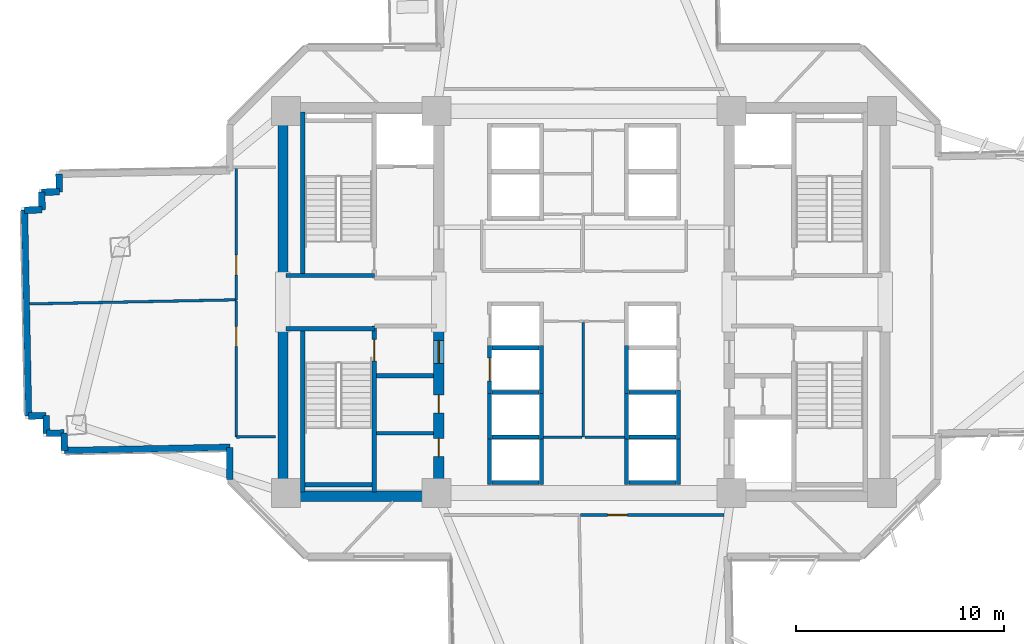
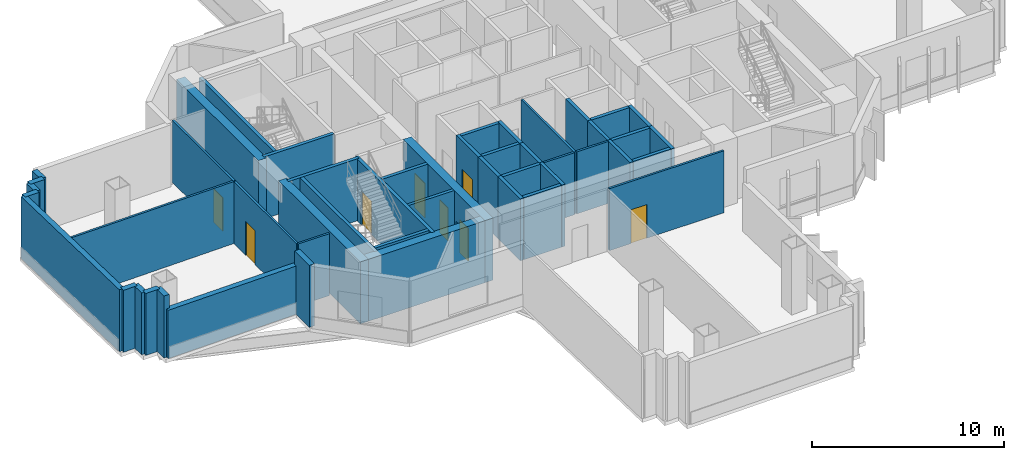
# One storey, part 6 of 15: 49 walls, 8 doors, 8 openings.
"""IFC4 building model written with IfcOpenShell, lengths in metres."""

from ifc_helpers import new_model, si_unit, direction, frame, frame_2d, origin, place, context, subcontext, project, spatial, rectangle, extrude, source, transform, mapped, material, layer, layer_set, type_object, element, fill, save


model = new_model("IFC4")

# Units and contexts
model_context = context("Model", 3, precision=1e-05, world=origin(), true_north=direction((0.0, 1.0)))
body_context = subcontext(model_context, "Body", "Model", "MODEL_VIEW")
ifc_project = project(units=[si_unit("LENGTHUNIT", "METRE"), si_unit("AREAUNIT", "SQUARE_METRE"), si_unit("VOLUMEUNIT", "CUBIC_METRE"), si_unit("PLANEANGLEUNIT", "RADIAN"), si_unit("MASSUNIT", "GRAM", prefix="KILO")], contexts=[model_context])

# Site, building, storey
site_placement = place(None, origin())
site = spatial("IfcSite", under=ifc_project, at=site_placement, CompositionType="ELEMENT")
building_placement = place(site_placement, origin())
building = spatial("IfcBuilding", under=site, at=building_placement, Name="Zahravan Cultural Tower", CompositionType="ELEMENT")
storey_placement = place(building_placement, frame((0.0, 0.0, 41.699951171875)))
storey = spatial("IfcBuildingStorey", under=building, at=storey_placement, Name="L08", CompositionType="ELEMENT", Elevation=41.699951171875)

# Wall, openings, doors
ifc_material_1 = material(Name="Concrete C60/75", Category="concrete")
ifc_layer_1 = layer(ifc_material_1, 0.5)
ifc_layer_set_1 = layer_set([ifc_layer_1], Name="Concrete C60/75")
wall_type_1 = type_object("IfcWallType", Name="CW-SHEAR-500-C60", PredefinedType="SHEAR", material=ifc_layer_set_1)
wall_1_placement = place(storey_placement, frame((29.0, 17.39990234375, 0.0), z_axis=(0.0, 0.0, 1.0), x_axis=(0.0, 1.0, 0.0)))
wall_1 = element("IfcWall", 1, at=wall_1_placement, inside=storey, type_object=wall_type_1, Name="L08 Core Shear Wall CW-W-ES-L08", PredefinedType="SHEAR", context=body_context, shape_type="SweptSolid", body=[
    extrude(rectangle(XDim=8.550048828125, YDim=0.5, at=frame_2d((4.27490234375, 0.0))), origin(), (0.0, 0.0, 1.0), 3.949951171875),
])
opening_1_placement = place(wall_1_placement, frame((6.64990234375, 0.0, 0.0)))
opening_1 = element("IfcOpeningElement", 2, at=opening_1_placement, cuts=wall_1, Name="Opening D-L08-07", PredefinedType="OPENING", context=body_context, shape_type="SweptSolid", body=[
    extrude(rectangle(XDim=1.10009765625, YDim=2.199951171875, at=frame_2d((0.550048828125, 1.10009765625))), frame((0.0, 0.260009765625, 0.0), z_axis=(0.0, -1.0, 0.0), x_axis=(1.0, 0.0, 0.0)), (0.0, 0.0, 1.0), 0.52001953125),
])
opening_2_placement = place(wall_1_placement, frame((2.14990234375, 0.0, 0.0)))
opening_2 = element("IfcOpeningElement", 3, at=opening_2_placement, cuts=wall_1, Name="Opening D-L08-09", PredefinedType="OPENING", context=body_context, shape_type="SweptSolid", body=[
    extrude(rectangle(XDim=0.8798828125, YDim=2.10009765625, at=frame_2d((0.43994140625, 1.050048828125))), frame((0.0, 0.260009765625, 0.0), z_axis=(0.0, -1.0, 0.0), x_axis=(1.0, 0.0, 0.0)), (0.0, 0.0, 1.0), 0.52001953125),
])
opening_3_placement = place(wall_1_placement, frame((4.25, 0.0, 0.0)))
opening_3 = element("IfcOpeningElement", 4, at=opening_3_placement, cuts=wall_1, Name="Opening D-L08-10", PredefinedType="OPENING", context=body_context, shape_type="SweptSolid", body=[
    extrude(rectangle(XDim=0.8798828125, YDim=2.10009765625, at=frame_2d((0.43994140625, 1.050048828125))), frame((0.0, 0.260009765625, 0.0), z_axis=(0.0, -1.0, 0.0), x_axis=(1.0, 0.0, 0.0)), (0.0, 0.0, 1.0), 0.52001953125),
])
ifc_material_2 = material(Name="Steel ASTM A572 Grade 50", Category="steel")
door_type_1 = type_object("IfcDoorType", Name="DR-LOBBY-1100", OperationType="NOTDEFINED", PredefinedType="DOOR", material=ifc_material_2)
shared_shape_1 = source(origin(), body_context, "Body", "SweptSolid", [
    extrude(rectangle(XDim=1.10009765625, YDim=2.199951171875, at=frame_2d((0.550048828125, 1.10009765625))), frame((0.0, 0.02490234375, 0.0), z_axis=(0.0, -1.0, 0.0), x_axis=(1.0, 0.0, 0.0)), (0.0, 0.0, 1.0), 0.050048828125),
])
door_1_placement = place(opening_1_placement, origin())
door_1 = element("IfcDoor", 5, at=door_1_placement, inside=storey, type_object=door_type_1, Name="L08 Door D-L08-07", OperationType="SINGLE_SWING_RIGHT", OverallHeight=2.199951171875, OverallWidth=1.10009765625, PredefinedType="DOOR", context=body_context, shape_type="MappedRepresentation", body=[
    mapped(shared_shape_1, transform((0.0, 0.0, 0.0), x_axis=(1.0, 0.0, 0.0), y_axis=(0.0, 1.0, 0.0), z_axis=(0.0, 0.0, 1.0), scale=1.0)),
])
fill(opening_1, door_1)
door_type_2 = type_object("IfcDoorType", Name="DR-SVC-880", OperationType="NOTDEFINED", PredefinedType="DOOR", material=ifc_material_2)
shared_shape_2 = source(origin(), body_context, "Body", "SweptSolid", [
    extrude(rectangle(XDim=0.8798828125, YDim=2.10009765625, at=frame_2d((0.43994140625, 1.050048828125))), frame((0.0, 0.02490234375, 0.0), z_axis=(0.0, -1.0, 0.0), x_axis=(1.0, 0.0, 0.0)), (0.0, 0.0, 1.0), 0.050048828125),
])
door_2_placement = place(opening_2_placement, origin())
door_2 = element("IfcDoor", 6, at=door_2_placement, inside=storey, type_object=door_type_2, Name="L08 Door D-L08-09", OperationType="SINGLE_SWING_RIGHT", OverallHeight=2.10009765625, OverallWidth=0.8798828125, PredefinedType="DOOR", context=body_context, shape_type="MappedRepresentation", body=[
    mapped(shared_shape_2, transform((0.0, 0.0, 0.0), x_axis=(1.0, 0.0, 0.0), y_axis=(0.0, 1.0, 0.0), z_axis=(0.0, 0.0, 1.0), scale=1.0)),
])
fill(opening_2, door_2)
door_3_placement = place(opening_3_placement, origin())
door_3 = element("IfcDoor", 7, at=door_3_placement, inside=storey, type_object=door_type_2, Name="L08 Door D-L08-10", OperationType="SINGLE_SWING_LEFT", OverallHeight=2.10009765625, OverallWidth=0.8798828125, PredefinedType="DOOR", context=body_context, shape_type="MappedRepresentation", body=[
    mapped(shared_shape_2, transform((0.0, 0.0, 0.0), x_axis=(1.0, 0.0, 0.0), y_axis=(0.0, 1.0, 0.0), z_axis=(0.0, 0.0, 1.0), scale=1.0)),
])
fill(opening_3, door_3)

# Wall, opening, door
ifc_material_3 = material(Name="Gypsum plasterboard partition")
ifc_layer_2 = layer(ifc_material_3, 0.125)
ifc_layer_set_2 = layer_set([ifc_layer_2], Name="Gypsum plasterboard partition")
wall_type_2 = type_object("IfcWallType", Name="W-PART-125", PredefinedType="PARTITIONING", material=ifc_layer_set_2)
wall_2_placement = place(storey_placement, frame((19.25048828125, 33.496337890625, 0.0), z_axis=(0.0, 0.0, 1.0), x_axis=(-7.6417545e-05, -0.99999999708, 0.0)))
wall_2 = element("IfcWall", 8, at=wall_2_placement, inside=storey, type_object=wall_type_2, Name="L08 Interior Wall 085", PredefinedType="PARTITIONING", context=body_context, shape_type="SweptSolid", body=[
    extrude(rectangle(XDim=6.3896484375, YDim=0.125, at=frame_2d((3.19482421875, 0.0))), origin(), (0.0, 0.0, 1.0), 3.949951171875),
])
opening_4_placement = place(wall_2_placement, frame((4.242919921875, 0.0, 0.0)))
opening_4 = element("IfcOpeningElement", 9, at=opening_4_placement, cuts=wall_2, Name="Opening D-L08-21", PredefinedType="OPENING", context=body_context, shape_type="SweptSolid", body=[
    extrude(rectangle(XDim=0.949951171875, YDim=2.14990234375, at=frame_2d((0.47509765625, 1.074951171875))), frame((0.0, 0.072509765625, 0.0), z_axis=(0.0, -1.0, 0.0), x_axis=(1.0, 0.0, 0.0)), (0.0, 0.0, 1.0), 0.14501953125),
])
ifc_material_4 = material(Name="Anodised bronze-aluminium mullion", Category="aluminium")
door_type_3 = type_object("IfcDoorType", Name="DR-ROOM-950", OperationType="NOTDEFINED", PredefinedType="DOOR", material=ifc_material_4)
shared_shape_3 = source(origin(), body_context, "Body", "SweptSolid", [
    extrude(rectangle(XDim=0.949951171875, YDim=2.14990234375, at=frame_2d((0.47509765625, 1.074951171875))), frame((0.0, 0.02490234375, 0.0), z_axis=(0.0, -1.0, 0.0), x_axis=(1.0, 0.0, 0.0)), (0.0, 0.0, 1.0), 0.050048828125),
])
door_4_placement = place(opening_4_placement, origin())
door_4 = element("IfcDoor", 10, at=door_4_placement, inside=storey, type_object=door_type_3, Name="L08 Door D-L08-21", OperationType="SINGLE_SWING_RIGHT", OverallHeight=2.14990234375, OverallWidth=0.949951171875, PredefinedType="DOOR", context=body_context, shape_type="MappedRepresentation", body=[
    mapped(shared_shape_3, transform((0.0, 0.0, 0.0), x_axis=(1.0, 0.0, 0.0), y_axis=(0.0, 1.0, 0.0), z_axis=(0.0, 0.0, 1.0), scale=1.0)),
])
fill(opening_4, door_4)

wall_3_placement = place(storey_placement, frame((19.25, 27.039306640625, 0.0), z_axis=(0.0, 0.0, 1.0), x_axis=(0.0, -1.0, 0.0)))
wall_3 = element("IfcWall", 11, at=wall_3_placement, inside=storey, type_object=wall_type_2, Name="L08 Interior Wall 090", PredefinedType="PARTITIONING", context=body_context, shape_type="SweptSolid", body=[
    extrude(rectangle(XDim=6.533447265625, YDim=0.125, at=frame_2d((3.2666015625, 0.0))), origin(), (0.0, 0.0, 1.0), 3.949951171875),
])
opening_5_placement = place(wall_3_placement, frame((1.228271484375, 0.0, 0.0)))
opening_5 = element("IfcOpeningElement", 12, at=opening_5_placement, cuts=wall_3, Name="Opening D-L08-22", PredefinedType="OPENING", context=body_context, shape_type="SweptSolid", body=[
    extrude(rectangle(XDim=0.949951171875, YDim=2.14990234375, at=frame_2d((0.47509765625, 1.074951171875))), frame((0.0, 0.072509765625, 0.0), z_axis=(0.0, -1.0, 0.0), x_axis=(1.0, 0.0, 0.0)), (0.0, 0.0, 1.0), 0.14501953125),
])
door_5_placement = place(opening_5_placement, origin())
door_5 = element("IfcDoor", 13, at=door_5_placement, inside=storey, type_object=door_type_3, Name="L08 Door D-L08-22", OperationType="SINGLE_SWING_LEFT", OverallHeight=2.14990234375, OverallWidth=0.949951171875, PredefinedType="DOOR", context=body_context, shape_type="MappedRepresentation", body=[
    mapped(shared_shape_3, transform((0.0, 0.0, 0.0), x_axis=(1.0, 0.0, 0.0), y_axis=(0.0, 1.0, 0.0), z_axis=(0.0, 0.0, 1.0), scale=1.0)),
])
fill(opening_5, door_5)

wall_4_placement = place(storey_placement, frame((35.83154296875, 16.739990234375, 0.0), z_axis=(0.0, 0.0, 1.0), x_axis=(0.999999999376, 3.5326951e-05, 0.0)))
wall_4 = element("IfcWall", 14, at=wall_4_placement, inside=storey, type_object=wall_type_2, Name="L08 Interior Wall 096", PredefinedType="PARTITIONING", context=body_context, shape_type="SweptSolid", body=[
    extrude(rectangle(XDim=6.910888671875, YDim=0.125, at=frame_2d((3.45556640625, 0.0))), origin(), (0.0, 0.0, 1.0), 3.949951171875),
])
opening_6_placement = place(wall_4_placement, frame((1.311279296875, 0.0, 0.0)))
opening_6 = element("IfcOpeningElement", 15, at=opening_6_placement, cuts=wall_4, Name="Opening D-L08-24", PredefinedType="OPENING", context=body_context, shape_type="SweptSolid", body=[
    extrude(rectangle(XDim=0.949951171875, YDim=2.14990234375, at=frame_2d((0.47509765625, 1.074951171875))), frame((0.0, 0.072509765625, 0.0), z_axis=(0.0, -1.0, 0.0), x_axis=(1.0, 0.0, 0.0)), (0.0, 0.0, 1.0), 0.14501953125),
])
door_6_placement = place(opening_6_placement, origin())
door_6 = element("IfcDoor", 16, at=door_6_placement, inside=storey, type_object=door_type_3, Name="L08 Door D-L08-24", OperationType="SINGLE_SWING_LEFT", OverallHeight=2.14990234375, OverallWidth=0.949951171875, PredefinedType="DOOR", context=body_context, shape_type="MappedRepresentation", body=[
    mapped(shared_shape_3, transform((0.0, 0.0, 0.0), x_axis=(1.0, 0.0, 0.0), y_axis=(0.0, 1.0, 0.0), z_axis=(0.0, 0.0, 1.0), scale=1.0)),
])
fill(opening_6, door_6)

ifc_material_5 = material(Name="Concrete C45/55", Category="concrete")
ifc_layer_3 = layer(ifc_material_5, 0.199951171875)
ifc_layer_set_3 = layer_set([ifc_layer_3], Name="Concrete C45/55")
wall_type_3 = type_object("IfcWallType", Name="W-SHAFT-200", PredefinedType="SOLIDWALL", material=ifc_layer_set_3)
wall_5_placement = place(storey_placement, frame((25.89990234375, 17.85009765625, 0.0), z_axis=(0.0, 0.0, 1.0), x_axis=(0.0, 1.0, 0.0)))
wall_5 = element("IfcWall", 17, at=wall_5_placement, inside=storey, type_object=wall_type_3, Name="L08 Interior Wall 005", PredefinedType="SOLIDWALL", context=body_context, shape_type="SweptSolid", body=[
    extrude(rectangle(XDim=8.0, YDim=0.199951171875, at=frame_2d((4.0, 0.0))), origin(), (0.0, 0.0, 1.0), 3.949951171875),
])
opening_7_placement = place(wall_5_placement, frame((6.300048828125, 0.0, 0.0)))
opening_7 = element("IfcOpeningElement", 18, at=opening_7_placement, cuts=wall_5, Name="Opening D-L08-04", PredefinedType="OPENING", context=body_context, shape_type="SweptSolid", body=[
    extrude(rectangle(XDim=1.050048828125, YDim=2.14990234375, at=frame_2d((0.52490234375, 1.074951171875))), frame((0.0, 0.10986328125, 0.0), z_axis=(0.0, -1.0, 0.0), x_axis=(1.0, 0.0, 0.0)), (0.0, 0.0, 1.0), 0.219970703125),
])
door_type_4 = type_object("IfcDoorType", Name="DR-STAIR-1050", OperationType="NOTDEFINED", PredefinedType="DOOR", material=ifc_material_2)
shared_shape_4 = source(origin(), body_context, "Body", "SweptSolid", [
    extrude(rectangle(XDim=1.050048828125, YDim=2.14990234375, at=frame_2d((0.52490234375, 1.074951171875))), frame((0.0, 0.02490234375, 0.0), z_axis=(0.0, -1.0, 0.0), x_axis=(1.0, 0.0, 0.0)), (0.0, 0.0, 1.0), 0.050048828125),
])
door_7_placement = place(opening_7_placement, origin())
door_7 = element("IfcDoor", 19, at=door_7_placement, inside=storey, type_object=door_type_4, Name="L08 Door D-L08-04", OperationType="SINGLE_SWING_LEFT", OverallHeight=2.14990234375, OverallWidth=1.050048828125, PredefinedType="DOOR", context=body_context, shape_type="MappedRepresentation", body=[
    mapped(shared_shape_4, transform((0.0, 0.0, 0.0), x_axis=(1.0, 0.0, 0.0), y_axis=(0.0, 1.0, 0.0), z_axis=(0.0, 0.0, 1.0), scale=1.0)),
])
fill(opening_7, door_7)

wall_6_placement = place(storey_placement, frame((31.449951171875, 22.60009765625, 0.0), z_axis=(0.0, 0.0, 1.0), x_axis=(0.0, 1.0, 0.0)))
wall_6 = element("IfcWall", 20, at=wall_6_placement, inside=storey, type_object=wall_type_3, Name="L08 Interior Wall 060", PredefinedType="SOLIDWALL", context=body_context, shape_type="SweptSolid", body=[
    extrude(rectangle(XDim=2.2998046875, YDim=0.199951171875, at=frame_2d((1.14990234375, 0.0))), origin(), (0.0, 0.0, 1.0), 3.949951171875),
])
opening_8_placement = place(wall_6_placement, frame((0.60009765625, 0.0, 0.0)))
opening_8 = element("IfcOpeningElement", 21, at=opening_8_placement, cuts=wall_6, Name="Opening LD-L08-05", PredefinedType="OPENING", context=body_context, shape_type="SweptSolid", body=[
    extrude(rectangle(XDim=1.10009765625, YDim=2.14990234375, at=frame_2d((0.550048828125, 1.074951171875))), frame((0.0, 0.10986328125, 0.0), z_axis=(0.0, -1.0, 0.0), x_axis=(1.0, 0.0, 0.0)), (0.0, 0.0, 1.0), 0.219970703125),
])
door_type_5 = type_object("IfcDoorType", Name="DR-LIFT-1100", OperationType="DOUBLE_DOOR_SLIDING", PredefinedType="DOOR", material=ifc_material_2)
shared_shape_5 = source(origin(), body_context, "Body", "SweptSolid", [
    extrude(rectangle(XDim=1.10009765625, YDim=2.14990234375, at=frame_2d((0.550048828125, 1.074951171875))), frame((0.0, 0.02490234375, 0.0), z_axis=(0.0, -1.0, 0.0), x_axis=(1.0, 0.0, 0.0)), (0.0, 0.0, 1.0), 0.050048828125),
])
door_8_placement = place(opening_8_placement, origin())
door_8 = element("IfcDoor", 22, at=door_8_placement, inside=storey, type_object=door_type_5, Name="L08 Door LD-L08-05", OperationType="DOUBLE_DOOR_SLIDING", OverallHeight=2.14990234375, OverallWidth=1.10009765625, PredefinedType="DOOR", context=body_context, shape_type="MappedRepresentation", body=[
    mapped(shared_shape_5, transform((0.0, 0.0, 0.0), x_axis=(1.0, 0.0, 0.0), y_axis=(0.0, 1.0, 0.0), z_axis=(0.0, 0.0, 1.0), scale=1.0)),
])
fill(opening_8, door_8)

# Walls
shared_shape_6 = source(origin(), body_context, "Body", "SweptSolid", [
    extrude(rectangle(XDim=8.550048828125, YDim=0.5, at=frame_2d((4.27490234375, 0.0))), origin(), (0.0, 0.0, 1.0), 3.949951171875),
])
for number, where, z_axis, x_axis, name in (
    (23, (21.5, 17.39990234375, 0.0), (0.0, 0.0, 1.0), (0.0, 1.0, 0.0), "L08 Core Shear Wall CW-W-WS-L08"),
    (24, (21.5, 28.050048828125, 0.0), (0.0, 0.0, 1.0), (0.0, 1.0, 0.0), "L08 Core Shear Wall CW-W-WN-L08"),
):
    element("IfcWall", number, at=place(storey_placement, frame(where, z_axis=z_axis, x_axis=x_axis)), inside=storey, type_object=wall_type_1, Name=name, PredefinedType="SHEAR", context=body_context, shape_type="MappedRepresentation", body=[
        mapped(shared_shape_6, transform((0.0, 0.0, 0.0), x_axis=(1.0, 0.0, 0.0), y_axis=(0.0, 1.0, 0.0), z_axis=(0.0, 0.0, 1.0), scale=1.0)),
    ])
shared_shape_7 = source(origin(), body_context, "Body", "SweptSolid", [
    extrude(rectangle(XDim=7.0, YDim=0.5, at=frame_2d((3.5, 0.0))), origin(), (0.0, 0.0, 1.0), 3.949951171875),
])
wall_7_placement = place(storey_placement, frame((21.75, 17.64990234375, 0.0), z_axis=(0.0, 0.0, 1.0), x_axis=(1.0, 0.0, 0.0)))
element("IfcWall", 25, at=wall_7_placement, inside=storey, type_object=wall_type_1, Name="L08 Core Shear Wall CW-W-S-L08", PredefinedType="SHEAR", context=body_context, shape_type="MappedRepresentation", body=[
    mapped(shared_shape_7, transform((0.0, 0.0, 0.0), x_axis=(1.0, 0.0, 0.0), y_axis=(0.0, 1.0, 0.0), z_axis=(0.0, 0.0, 1.0), scale=1.0)),
])
ifc_material_6 = material(Name="Precast concrete C40/50", Category="concrete")
ifc_layer_4 = layer(ifc_material_6, 0.320068359375)
ifc_layer_set_4 = layer_set([ifc_layer_4], Name="Precast concrete C40/50")
wall_type_4 = type_object("IfcWallType", Name="EW-TC-320", PredefinedType="SOLIDWALL", material=ifc_layer_set_4)
shared_shape_8 = source(origin(), body_context, "Body", "SweptSolid", [
    extrude(rectangle(XDim=0.85009765625, YDim=0.320068359375, at=frame_2d((0.425048828125, 0.0))), origin(), (0.0, 0.0, 1.0), 3.949951171875),
])
for number, where, z_axis, x_axis, name in (
    (26, (10.9775390625, 19.8408203125, 0.0), (0.0, 0.0, 1.0), (-0.019817997326, 0.999803604205, 0.0), "L08 Exterior Masonry Frame Wall 29"),
    (27, (10.960693359375, 20.690673828125, 0.0), (0.0, 0.0, 1.0), (-0.999797872061, -0.020105099409, 0.0), "L08 Exterior Masonry Frame Wall 30"),
    (28, (10.11083984375, 20.673583984375, 0.0), (0.0, 0.0, 1.0), (-0.020105099409, 0.999797872061, 0.0), "L08 Exterior Masonry Frame Wall 31"),
    (29, (10.09375, 21.5234375, 0.0), (0.0, 0.0, 1.0), (-0.999803604205, -0.019817997326, 0.0), "L08 Exterior Masonry Frame Wall 32"),
    (30, (9.046630859375, 31.424560546875, 0.0), (0.0, 0.0, 1.0), (0.999803604205, 0.019817997326, 0.0), "L08 Exterior Masonry Frame Wall 34"),
    (31, (9.879638671875, 32.29150390625, 0.0), (0.0, 0.0, 1.0), (0.999803604205, 0.019817997326, 0.0), "L08 Exterior Masonry Frame Wall 36"),
    (32, (10.7294921875, 32.308349609375, 0.0), (0.0, 0.0, 1.0), (-0.020105099409, 0.999797872061, 0.0), "L08 Exterior Masonry Frame Wall 37"),
):
    element("IfcWall", number, at=place(storey_placement, frame(where, z_axis=z_axis, x_axis=x_axis)), inside=storey, type_object=wall_type_4, Name=name, PredefinedType="SOLIDWALL", context=body_context, shape_type="MappedRepresentation", body=[
        mapped(shared_shape_8, transform((0.0, 0.0, 0.0), x_axis=(1.0, 0.0, 0.0), y_axis=(0.0, 1.0, 0.0), z_axis=(0.0, 0.0, 1.0), scale=1.0)),
    ])
shared_shape_9 = source(origin(), body_context, "Body", "SweptSolid", [
    extrude(rectangle(XDim=9.919921875, YDim=0.320068359375, at=frame_2d((4.9599609375, 0.0))), origin(), (0.0, 0.0, 1.0), 3.949951171875),
])
wall_8_placement = place(storey_placement, frame((9.243896484375, 21.506591796875, 0.0), z_axis=(0.0, 0.0, 1.0), x_axis=(-0.019885787333, 0.99980225818, 0.0)))
element("IfcWall", 33, at=wall_8_placement, inside=storey, type_object=wall_type_4, Name="L08 Exterior Masonry Frame Wall 33", PredefinedType="SOLIDWALL", context=body_context, shape_type="MappedRepresentation", body=[
    mapped(shared_shape_9, transform((0.0, 0.0, 0.0), x_axis=(1.0, 0.0, 0.0), y_axis=(0.0, 1.0, 0.0), z_axis=(0.0, 0.0, 1.0), scale=1.0)),
])
shared_shape_10 = source(origin(), body_context, "Body", "SweptSolid", [
    extrude(rectangle(XDim=0.850341796875, YDim=0.320068359375, at=frame_2d((0.42529296875, 0.0))), origin(), (0.0, 0.0, 1.0), 3.949951171875),
])
wall_9_placement = place(storey_placement, frame((9.896484375, 31.44140625, 0.0), z_axis=(0.0, 0.0, 1.0), x_axis=(-0.019812308004, 0.999803716962, 0.0)))
element("IfcWall", 34, at=wall_9_placement, inside=storey, type_object=wall_type_4, Name="L08 Exterior Masonry Frame Wall 35", PredefinedType="SOLIDWALL", context=body_context, shape_type="MappedRepresentation", body=[
    mapped(shared_shape_10, transform((0.0, 0.0, 0.0), x_axis=(1.0, 0.0, 0.0), y_axis=(0.0, 1.0, 0.0), z_axis=(0.0, 0.0, 1.0), scale=1.0)),
])
shared_shape_11 = source(origin(), body_context, "Body", "SweptSolid", [
    extrude(rectangle(XDim=1.541259765625, YDim=0.320068359375, at=frame_2d((0.7705078125, 0.0))), origin(), (0.0, 0.0, 1.0), 3.949951171875),
])
wall_10_placement = place(storey_placement, frame((18.93994140625, 18.4580078125, 0.0), z_axis=(0.0, 0.0, 1.0), x_axis=(0.0, 1.0, 0.0)))
element("IfcWall", 35, at=wall_10_placement, inside=storey, type_object=wall_type_4, Name="L08 Exterior Masonry Frame Wall 27", PredefinedType="SOLIDWALL", context=body_context, shape_type="MappedRepresentation", body=[
    mapped(shared_shape_11, transform((0.0, 0.0, 0.0), x_axis=(1.0, 0.0, 0.0), y_axis=(0.0, 1.0, 0.0), z_axis=(0.0, 0.0, 1.0), scale=1.0)),
])
shared_shape_12 = source(origin(), body_context, "Body", "SweptSolid", [
    extrude(rectangle(XDim=7.9638671875, YDim=0.320068359375, at=frame_2d((3.98193359375, 0.0))), origin(), (0.0, 0.0, 1.0), 3.080078125),
])
wall_11_placement = place(storey_placement, frame((18.93994140625, 19.999267578125, 0.0), z_axis=(0.0, 0.0, 1.0), x_axis=(-0.999802065132, -0.019895490902, 0.0)))
element("IfcWall", 36, at=wall_11_placement, inside=storey, type_object=wall_type_4, Name="L08 Exterior Masonry Frame Wall 28", PredefinedType="SOLIDWALL", context=body_context, shape_type="MappedRepresentation", body=[
    mapped(shared_shape_12, transform((0.0, 0.0, 0.0), x_axis=(1.0, 0.0, 0.0), y_axis=(0.0, 1.0, 0.0), z_axis=(0.0, 0.0, 1.0), scale=1.0)),
])
shared_shape_13 = source(origin(), body_context, "Body", "SweptSolid", [
    extrude(rectangle(XDim=7.869873046875, YDim=0.199951171875, at=frame_2d((3.93505859375, 0.0))), origin(), (0.0, 0.0, 1.0), 3.949951171875),
])
for number, where, z_axis, x_axis, name in (
    (37, (22.449951171875, 17.85009765625, 0.0), (0.0, 0.0, 1.0), (0.0, 1.0, 0.0), "L08 Interior Wall 001"),
    (38, (22.449951171875, 28.280029296875, 0.0), (0.0, 0.0, 1.0), (0.0, 1.0, 0.0), "L08 Interior Wall 002"),
):
    element("IfcWall", number, at=place(storey_placement, frame(where, z_axis=z_axis, x_axis=x_axis)), inside=storey, type_object=wall_type_3, Name=name, PredefinedType="SOLIDWALL", context=body_context, shape_type="MappedRepresentation", body=[
        mapped(shared_shape_13, transform((0.0, 0.0, 0.0), x_axis=(1.0, 0.0, 0.0), y_axis=(0.0, 1.0, 0.0), z_axis=(0.0, 0.0, 1.0), scale=1.0)),
    ])
shared_shape_14 = source(origin(), body_context, "Body", "SweptSolid", [
    extrude(rectangle(XDim=4.25, YDim=0.199951171875, at=frame_2d((2.125, 0.0))), origin(), (0.0, 0.0, 1.0), 3.949951171875),
])
for number, where, z_axis, x_axis, name in (
    (39, (21.64990234375, 25.715087890625, 0.0), (0.0, 0.0, 1.0), (1.0, 0.0, 0.0), "L08 Interior Wall 009"),
    (40, (21.64990234375, 28.284912109375, 0.0), (0.0, 0.0, 1.0), (1.0, 0.0, 0.0), "L08 Interior Wall 011"),
):
    element("IfcWall", number, at=place(storey_placement, frame(where, z_axis=z_axis, x_axis=x_axis)), inside=storey, type_object=wall_type_3, Name=name, PredefinedType="SOLIDWALL", context=body_context, shape_type="MappedRepresentation", body=[
        mapped(shared_shape_14, transform((0.0, 0.0, 0.0), x_axis=(1.0, 0.0, 0.0), y_axis=(0.0, 1.0, 0.0), z_axis=(0.0, 0.0, 1.0), scale=1.0)),
    ])
shared_shape_15 = source(origin(), body_context, "Body", "SweptSolid", [
    extrude(rectangle(XDim=3.25, YDim=0.199951171875, at=frame_2d((1.625, 0.0))), origin(), (0.0, 0.0, 1.0), 3.949951171875),
])
wall_12_placement = place(storey_placement, frame((22.550048828125, 18.199951171875, 0.0), z_axis=(0.0, 0.0, 1.0), x_axis=(1.0, 0.0, 0.0)))
element("IfcWall", 41, at=wall_12_placement, inside=storey, type_object=wall_type_3, Name="L08 Interior Wall 019", PredefinedType="SOLIDWALL", context=body_context, shape_type="MappedRepresentation", body=[
    mapped(shared_shape_15, transform((0.0, 0.0, 0.0), x_axis=(1.0, 0.0, 0.0), y_axis=(0.0, 1.0, 0.0), z_axis=(0.0, 0.0, 1.0), scale=1.0)),
])
shared_shape_16 = source(origin(), body_context, "Body", "SweptSolid", [
    extrude(rectangle(XDim=2.75, YDim=0.199951171875, at=frame_2d((1.375, 0.0))), origin(), (0.0, 0.0, 1.0), 3.949951171875),
])
wall_13_placement = place(storey_placement, frame((26.0, 23.449951171875, 0.0), z_axis=(0.0, 0.0, 1.0), x_axis=(1.0, 0.0, 0.0)))
element("IfcWall", 42, at=wall_13_placement, inside=storey, type_object=wall_type_3, Name="L08 Interior Wall 023", PredefinedType="SOLIDWALL", context=body_context, shape_type="MappedRepresentation", body=[
    mapped(shared_shape_16, transform((0.0, 0.0, 0.0), x_axis=(1.0, 0.0, 0.0), y_axis=(0.0, 1.0, 0.0), z_axis=(0.0, 0.0, 1.0), scale=1.0)),
])
shared_shape_17 = source(origin(), body_context, "Body", "SweptSolid", [
    extrude(rectangle(XDim=2.260009765625, YDim=0.199951171875, at=frame_2d((1.1298828125, 0.0))), origin(), (0.0, 0.0, 1.0), 3.949951171875),
])
for number, where, z_axis, x_axis, name in (
    (43, (31.570068359375, 20.5, 0.0), (0.0, 0.0, 1.0), (1.0, 0.0, 0.0), "L08 Interior Wall 044"),
    (44, (31.570068359375, 22.64990234375, 0.0), (0.0, 0.0, 1.0), (1.0, 0.0, 0.0), "L08 Interior Wall 045"),
    (45, (31.570068359375, 18.300048828125, 0.0), (0.0, 0.0, 1.0), (1.0, 0.0, 0.0), "L08 Interior Wall 048"),
    (46, (38.169921875, 20.5, 0.0), (0.0, 0.0, 1.0), (1.0, 0.0, 0.0), "L08 Interior Wall 051"),
    (47, (38.169921875, 22.64990234375, 0.0), (0.0, 0.0, 1.0), (1.0, 0.0, 0.0), "L08 Interior Wall 052"),
    (48, (38.169921875, 18.300048828125, 0.0), (0.0, 0.0, 1.0), (1.0, 0.0, 0.0), "L08 Interior Wall 055"),
    (49, (31.570068359375, 24.800048828125, 0.0), (0.0, 0.0, 1.0), (1.0, 0.0, 0.0), "L08 Interior Wall 058"),
):
    element("IfcWall", number, at=place(storey_placement, frame(where, z_axis=z_axis, x_axis=x_axis)), inside=storey, type_object=wall_type_3, Name=name, PredefinedType="SOLIDWALL", context=body_context, shape_type="MappedRepresentation", body=[
        mapped(shared_shape_17, transform((0.0, 0.0, 0.0), x_axis=(1.0, 0.0, 0.0), y_axis=(0.0, 1.0, 0.0), z_axis=(0.0, 0.0, 1.0), scale=1.0)),
    ])
shared_shape_18 = source(origin(), body_context, "Body", "SweptSolid", [
    extrude(rectangle(XDim=2.35009765625, YDim=0.199951171875, at=frame_2d((1.175048828125, 0.0))), origin(), (0.0, 0.0, 1.0), 3.949951171875),
])
for number, where, z_axis, x_axis, name in (
    (50, (31.449951171875, 20.39990234375, 0.0), (0.0, 0.0, 1.0), (0.0, 1.0, 0.0), "L08 Interior Wall 042"),
    (51, (33.949951171875, 20.39990234375, 0.0), (0.0, 0.0, 1.0), (0.0, 1.0, 0.0), "L08 Interior Wall 043"),
    (52, (31.449951171875, 18.199951171875, 0.0), (0.0, 0.0, 1.0), (0.0, 1.0, 0.0), "L08 Interior Wall 046"),
    (53, (33.949951171875, 18.199951171875, 0.0), (0.0, 0.0, 1.0), (0.0, 1.0, 0.0), "L08 Interior Wall 047"),
    (54, (38.050048828125, 20.39990234375, 0.0), (0.0, 0.0, 1.0), (0.0, 1.0, 0.0), "L08 Interior Wall 049"),
    (55, (40.550048828125, 20.39990234375, 0.0), (0.0, 0.0, 1.0), (0.0, 1.0, 0.0), "L08 Interior Wall 050"),
    (56, (38.050048828125, 18.199951171875, 0.0), (0.0, 0.0, 1.0), (0.0, 1.0, 0.0), "L08 Interior Wall 053"),
    (57, (40.550048828125, 18.199951171875, 0.0), (0.0, 0.0, 1.0), (0.0, 1.0, 0.0), "L08 Interior Wall 054"),
):
    element("IfcWall", number, at=place(storey_placement, frame(where, z_axis=z_axis, x_axis=x_axis)), inside=storey, type_object=wall_type_3, Name=name, PredefinedType="SOLIDWALL", context=body_context, shape_type="MappedRepresentation", body=[
        mapped(shared_shape_18, transform((0.0, 0.0, 0.0), x_axis=(1.0, 0.0, 0.0), y_axis=(0.0, 1.0, 0.0), z_axis=(0.0, 0.0, 1.0), scale=1.0)),
    ])
shared_shape_19 = source(origin(), body_context, "Body", "SweptSolid", [
    extrude(rectangle(XDim=2.2998046875, YDim=0.199951171875, at=frame_2d((1.14990234375, 0.0))), origin(), (0.0, 0.0, 1.0), 3.949951171875),
])
for number, where, z_axis, x_axis, name in (
    (58, (33.949951171875, 22.60009765625, 0.0), (0.0, 0.0, 1.0), (0.0, 1.0, 0.0), "L08 Interior Wall 061"),
    (59, (38.050048828125, 22.60009765625, 0.0), (0.0, 0.0, 1.0), (0.0, 1.0, 0.0), "L08 Interior Wall 066"),
):
    element("IfcWall", number, at=place(storey_placement, frame(where, z_axis=z_axis, x_axis=x_axis)), inside=storey, type_object=wall_type_3, Name=name, PredefinedType="SOLIDWALL", context=body_context, shape_type="MappedRepresentation", body=[
        mapped(shared_shape_19, transform((0.0, 0.0, 0.0), x_axis=(1.0, 0.0, 0.0), y_axis=(0.0, 1.0, 0.0), z_axis=(0.0, 0.0, 1.0), scale=1.0)),
    ])
ifc_layer_5 = layer(ifc_material_3, 0.179931640625)
ifc_layer_set_5 = layer_set([ifc_layer_5], Name="Gypsum plasterboard partition")
wall_type_5 = type_object("IfcWallType", Name="W-COMP-180", PredefinedType="PARTITIONING", material=ifc_layer_set_5)
shared_shape_20 = source(origin(), body_context, "Body", "SweptSolid", [
    extrude(rectangle(XDim=2.75, YDim=0.179931640625, at=frame_2d((1.375, 0.0))), origin(), (0.0, 0.0, 1.0), 3.949951171875),
])
wall_14_placement = place(storey_placement, frame((26.0, 20.679931640625, 0.0), z_axis=(0.0, 0.0, 1.0), x_axis=(1.0, 0.0, 0.0)))
element("IfcWall", 60, at=wall_14_placement, inside=storey, type_object=wall_type_5, Name="L08 Interior Wall 026", PredefinedType="PARTITIONING", context=body_context, shape_type="MappedRepresentation", body=[
    mapped(shared_shape_20, transform((0.0, 0.0, 0.0), x_axis=(1.0, 0.0, 0.0), y_axis=(0.0, 1.0, 0.0), z_axis=(0.0, 0.0, 1.0), scale=1.0)),
])
shared_shape_21 = source(origin(), body_context, "Body", "SweptSolid", [
    extrude(rectangle(XDim=5.5224609375, YDim=0.125, at=frame_2d((2.76123046875, 0.0))), origin(), (0.0, 0.0, 1.0), 3.949951171875),
])
wall_15_placement = place(storey_placement, frame((35.969970703125, 26.012451171875, 0.0), z_axis=(0.0, 0.0, 1.0), x_axis=(0.0, -1.0, 0.0)))
element("IfcWall", 61, at=wall_15_placement, inside=storey, type_object=wall_type_2, Name="L08 Interior Wall 076", PredefinedType="PARTITIONING", context=body_context, shape_type="MappedRepresentation", body=[
    mapped(shared_shape_21, transform((0.0, 0.0, 0.0), x_axis=(1.0, 0.0, 0.0), y_axis=(0.0, 1.0, 0.0), z_axis=(0.0, 0.0, 1.0), scale=1.0)),
])
shared_shape_22 = source(origin(), body_context, "Body", "SweptSolid", [
    extrude(rectangle(XDim=1.84765625, YDim=0.125, at=frame_2d((0.923828125, 0.0))), origin(), (0.0, 0.0, 1.0), 3.949951171875),
])
wall_16_placement = place(storey_placement, frame((35.902587890625, 20.489990234375, 0.0), z_axis=(0.0, 0.0, 1.0), x_axis=(-1.0, 0.0, 0.0)))
element("IfcWall", 62, at=wall_16_placement, inside=storey, type_object=wall_type_2, Name="L08 Interior Wall 077", PredefinedType="PARTITIONING", context=body_context, shape_type="MappedRepresentation", body=[
    mapped(shared_shape_22, transform((0.0, 0.0, 0.0), x_axis=(1.0, 0.0, 0.0), y_axis=(0.0, 1.0, 0.0), z_axis=(0.0, 0.0, 1.0), scale=1.0)),
])
shared_shape_23 = source(origin(), body_context, "Body", "SweptSolid", [
    extrude(rectangle(XDim=1.907470703125, YDim=0.125, at=frame_2d((0.95361328125, 0.0))), origin(), (0.0, 0.0, 1.0), 3.949951171875),
])
wall_17_placement = place(storey_placement, frame((37.945068359375, 20.489990234375, 0.0), z_axis=(0.0, 0.0, 1.0), x_axis=(-1.0, 0.0, 0.0)))
element("IfcWall", 63, at=wall_17_placement, inside=storey, type_object=wall_type_2, Name="L08 Interior Wall 079", PredefinedType="PARTITIONING", context=body_context, shape_type="MappedRepresentation", body=[
    mapped(shared_shape_23, transform((0.0, 0.0, 0.0), x_axis=(1.0, 0.0, 0.0), y_axis=(0.0, 1.0, 0.0), z_axis=(0.0, 0.0, 1.0), scale=1.0)),
])
shared_shape_24 = source(origin(), body_context, "Body", "SweptSolid", [
    extrude(rectangle(XDim=9.950439453125, YDim=0.125, at=frame_2d((4.97509765625, 0.0))), origin(), (0.0, 0.0, 1.0), 3.949951171875),
])
wall_18_placement = place(storey_placement, frame((19.25, 27.106689453125, 0.0), z_axis=(0.0, 0.0, 1.0), x_axis=(-0.999802007469, -0.019898388379, 0.0)))
element("IfcWall", 64, at=wall_18_placement, inside=storey, type_object=wall_type_2, Name="L08 Interior Wall 086", PredefinedType="PARTITIONING", context=body_context, shape_type="MappedRepresentation", body=[
    mapped(shared_shape_24, transform((0.0, 0.0, 0.0), x_axis=(1.0, 0.0, 0.0), y_axis=(0.0, 1.0, 0.0), z_axis=(0.0, 0.0, 1.0), scale=1.0)),
])
shared_shape_25 = source(origin(), body_context, "Body", "SweptSolid", [
    extrude(rectangle(XDim=1.8935546875, YDim=0.125, at=frame_2d((0.94677734375, 0.0))), origin(), (0.0, 0.0, 1.0), 3.949951171875),
])
wall_19_placement = place(storey_placement, frame((19.255859375, 20.5, 0.0), z_axis=(0.0, 0.0, 1.0), x_axis=(0.999998370894, 0.001805051211, 0.0)))
element("IfcWall", 65, at=wall_19_placement, inside=storey, type_object=wall_type_2, Name="L08 Interior Wall 091", PredefinedType="PARTITIONING", context=body_context, shape_type="MappedRepresentation", body=[
    mapped(shared_shape_25, transform((0.0, 0.0, 0.0), x_axis=(1.0, 0.0, 0.0), y_axis=(0.0, 1.0, 0.0), z_axis=(0.0, 0.0, 1.0), scale=1.0)),
])

save(model, "model.ifc")
